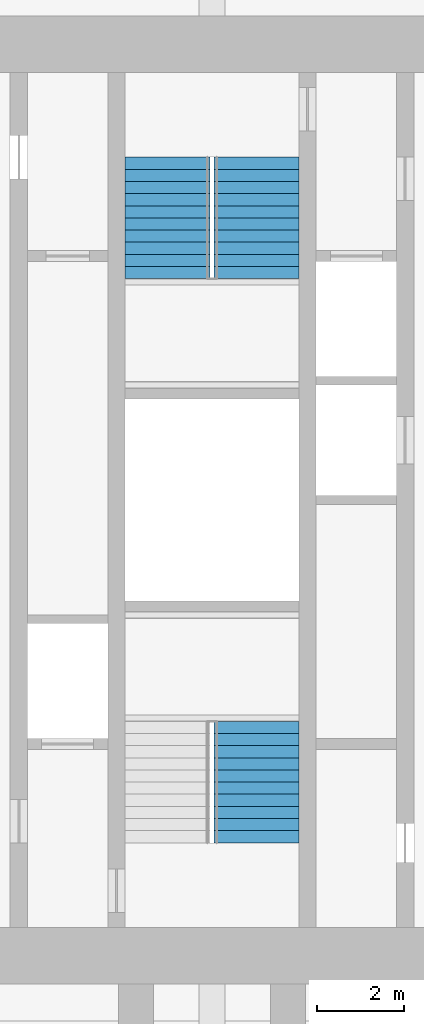
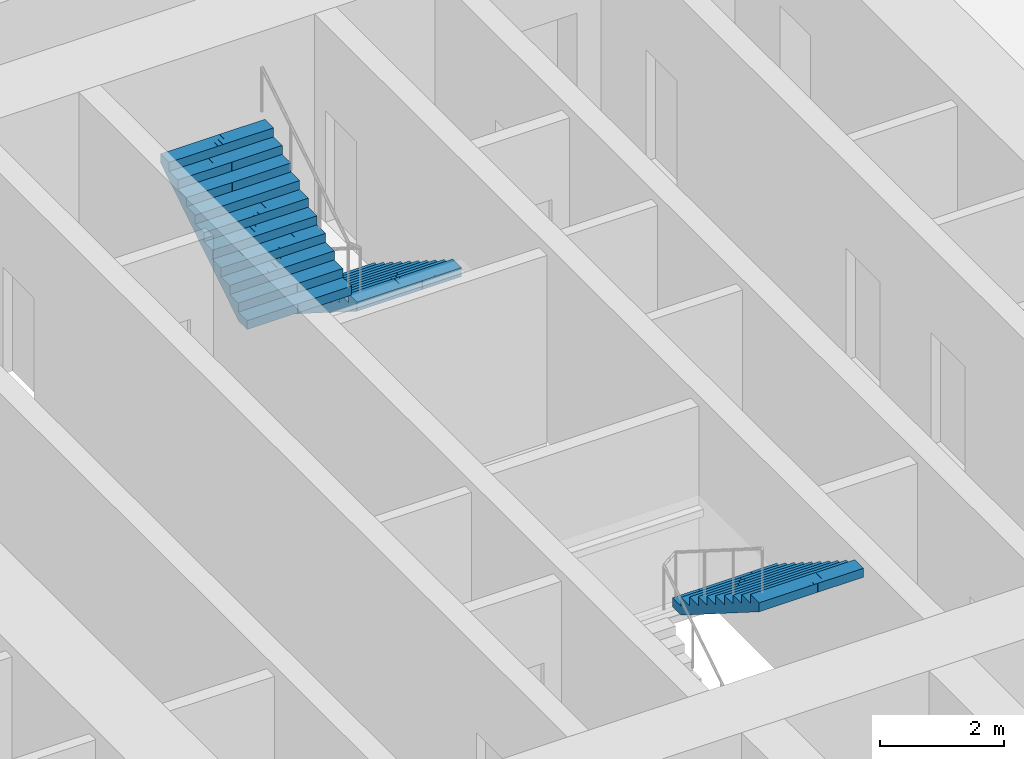
# One storey, part 14 of 15: 3 stair flights, 2 elements without a shape of their own.
"""IFC4 building model written with IfcOpenShell, lengths in metres."""

from ifc_helpers import new_model, si_unit, direction, frame, origin, place, context, subcontext, project, spatial, polyline, outline, extrude, material, type_object, element, aggregate, save


model = new_model("IFC4")

# Units and contexts
model_context = context("Model", 3, precision=1e-05, world=origin(), true_north=direction((0.0, 1.0)))
body_context = subcontext(model_context, "Body", "Model", "MODEL_VIEW")
ifc_project = project(units=[si_unit("LENGTHUNIT", "METRE"), si_unit("AREAUNIT", "SQUARE_METRE"), si_unit("VOLUMEUNIT", "CUBIC_METRE"), si_unit("PLANEANGLEUNIT", "RADIAN"), si_unit("MASSUNIT", "GRAM", prefix="KILO")], contexts=[model_context])

# Site, building, storey
site_placement = place(None, origin())
site = spatial("IfcSite", under=ifc_project, at=site_placement, CompositionType="ELEMENT")
building_placement = place(site_placement, origin())
building = spatial("IfcBuilding", under=site, at=building_placement, Name="Mizan Broadcast Tower", CompositionType="ELEMENT")
storey_placement = place(building_placement, frame((0.0, 0.0, 267.300048828125)))
storey = spatial("IfcBuildingStorey", under=building, at=storey_placement, Name="L63", CompositionType="ELEMENT", Elevation=267.300048828125)

# Stair, stair flight
ifc_material_1 = material(Name="Concrete C40/50", Category="concrete")
stair_type = type_object("IfcStairType", Name="EXIT STAIR", PredefinedType="HALF_TURN_STAIR", material=ifc_material_1)
stair_1_placement = place(storey_placement, origin())
stair_1 = element("IfcStair", 1, at=stair_1_placement, inside=storey, type_object=stair_type, Name="Stair A L63", PredefinedType="HALF_TURN_STAIR")
ifc_material_2 = material(Name="Concrete C40/50", Category="concrete")
stair_flight_type = type_object("IfcStairFlightType", Name="EXIT STAIR FLIGHT", PredefinedType="STRAIGHT", material=ifc_material_2)
stair_flight_1_placement = place(storey_placement, frame((1.02490234375, -5.10009765625, 1.949951171875), z_axis=(0.0, 0.0, 1.0), x_axis=(0.0, -1.0, 0.0)))
stair_flight_1 = element("IfcStairFlight", 2, at=stair_flight_1_placement, type_object=stair_flight_type, Name="A flight 2", NumberOfRisers=11, NumberOfTreads=10, PredefinedType="STRAIGHT", RiserHeight=0.177272727, TreadLength=0.28, context=body_context, shape_type="SweptSolid", body=[
    extrude(outline(polyline([(0.0, 0.0), (0.0, 0.17724609375), (0.280029296875, 0.17724609375), (0.280029296875, 0.3544921875), (0.56005859375, 0.3544921875), (0.56005859375, 0.53173828125), (0.840087890625, 0.53173828125), (0.840087890625, 0.708984375), (1.1201171875, 0.708984375), (1.1201171875, 0.886474609375), (1.39990234375, 0.886474609375), (1.39990234375, 1.063720703125), (1.679931640625, 1.063720703125), (1.679931640625, 1.240966796875), (1.9599609375, 1.240966796875), (1.9599609375, 1.418212890625), (2.239990234375, 1.418212890625), (2.239990234375, 1.595458984375), (2.52001953125, 1.595458984375), (2.52001953125, 1.772705078125), (2.800048828125, 1.772705078125), (2.800048828125, 1.949951171875), (2.800048828125, 1.59521484375), (0.2802734375, 0.0), (0.0, 0.0)])), frame((0.0, 0.97509765625, 0.0), z_axis=(0.0, -1.0, 0.0), x_axis=(1.0, 0.0, 0.0)), (0.0, 0.0, 1.0), 0.4873046875),
    extrude(outline(polyline([(0.0, 0.0), (0.0, 0.17724609375), (0.280029296875, 0.17724609375), (0.280029296875, 0.3544921875), (0.56005859375, 0.3544921875), (0.56005859375, 0.53173828125), (0.840087890625, 0.53173828125), (0.840087890625, 0.708984375), (1.1201171875, 0.708984375), (1.1201171875, 0.886474609375), (1.39990234375, 0.886474609375), (1.39990234375, 1.063720703125), (1.679931640625, 1.063720703125), (1.679931640625, 1.240966796875), (1.9599609375, 1.240966796875), (1.9599609375, 1.418212890625), (2.239990234375, 1.418212890625), (2.239990234375, 1.595458984375), (2.52001953125, 1.595458984375), (2.52001953125, 1.772705078125), (2.800048828125, 1.772705078125), (2.800048828125, 1.949951171875), (2.800048828125, 1.59521484375), (0.2802734375, 0.0), (0.0, 0.0)])), frame((0.0, 0.4873046875, 0.0), z_axis=(0.0, -1.0, 0.0), x_axis=(1.0, 0.0, 0.0)), (0.0, 0.0, 1.0), 0.2431640625),
    extrude(outline(polyline([(0.0, 0.0), (0.0, 0.17724609375), (0.280029296875, 0.17724609375), (0.280029296875, 0.3544921875), (0.56005859375, 0.3544921875), (0.56005859375, 0.53173828125), (0.840087890625, 0.53173828125), (0.840087890625, 0.708984375), (1.1201171875, 0.708984375), (1.1201171875, 0.886474609375), (1.39990234375, 0.886474609375), (1.39990234375, 1.063720703125), (1.679931640625, 1.063720703125), (1.679931640625, 1.240966796875), (1.9599609375, 1.240966796875), (1.9599609375, 1.418212890625), (2.239990234375, 1.418212890625), (2.239990234375, 1.595458984375), (2.52001953125, 1.595458984375), (2.52001953125, 1.772705078125), (2.800048828125, 1.772705078125), (2.800048828125, 1.949951171875), (2.800048828125, 1.59521484375), (0.2802734375, 0.0), (0.0, 0.0)])), frame((0.0, 0.24365234375, 0.0), z_axis=(0.0, -1.0, 0.0), x_axis=(1.0, 0.0, 0.0)), (0.0, 0.0, 1.0), 0.121337890625),
    extrude(outline(polyline([(0.0, 0.0), (0.0, 0.17724609375), (0.280029296875, 0.17724609375), (0.280029296875, 0.3544921875), (0.56005859375, 0.3544921875), (0.56005859375, 0.53173828125), (0.840087890625, 0.53173828125), (0.840087890625, 0.708984375), (1.1201171875, 0.708984375), (1.1201171875, 0.886474609375), (1.39990234375, 0.886474609375), (1.39990234375, 1.063720703125), (1.679931640625, 1.063720703125), (1.679931640625, 1.240966796875), (1.9599609375, 1.240966796875), (1.9599609375, 1.418212890625), (2.239990234375, 1.418212890625), (2.239990234375, 1.595458984375), (2.52001953125, 1.595458984375), (2.52001953125, 1.772705078125), (2.800048828125, 1.772705078125), (2.800048828125, 1.949951171875), (2.800048828125, 1.59521484375), (0.2802734375, 0.0), (0.0, 0.0)])), frame((0.0, 0.121826171875, 0.0), z_axis=(0.0, -1.0, 0.0), x_axis=(1.0, 0.0, 0.0)), (0.0, 0.0, 1.0), 0.060546875),
    extrude(outline(polyline([(0.0, 0.0), (0.0, 0.17724609375), (0.280029296875, 0.17724609375), (0.280029296875, 0.3544921875), (0.56005859375, 0.3544921875), (0.56005859375, 0.53173828125), (0.840087890625, 0.53173828125), (0.840087890625, 0.708984375), (1.1201171875, 0.708984375), (1.1201171875, 0.886474609375), (1.39990234375, 0.886474609375), (1.39990234375, 1.063720703125), (1.679931640625, 1.063720703125), (1.679931640625, 1.240966796875), (1.9599609375, 1.240966796875), (1.9599609375, 1.418212890625), (2.239990234375, 1.418212890625), (2.239990234375, 1.595458984375), (2.52001953125, 1.595458984375), (2.52001953125, 1.772705078125), (2.800048828125, 1.772705078125), (2.800048828125, 1.949951171875), (2.800048828125, 1.59521484375), (0.2802734375, 0.0), (0.0, 0.0)])), frame((0.0, 0.060791015625, 0.0), z_axis=(0.0, -1.0, 0.0), x_axis=(1.0, 0.0, 0.0)), (0.0, 0.0, 1.0), 0.030029296875),
    extrude(outline(polyline([(0.0, 0.0), (0.0, 0.17724609375), (0.280029296875, 0.17724609375), (0.280029296875, 0.3544921875), (0.56005859375, 0.3544921875), (0.56005859375, 0.53173828125), (0.840087890625, 0.53173828125), (0.840087890625, 0.708984375), (1.1201171875, 0.708984375), (1.1201171875, 0.886474609375), (1.39990234375, 0.886474609375), (1.39990234375, 1.063720703125), (1.679931640625, 1.063720703125), (1.679931640625, 1.240966796875), (1.9599609375, 1.240966796875), (1.9599609375, 1.418212890625), (2.239990234375, 1.418212890625), (2.239990234375, 1.595458984375), (2.52001953125, 1.595458984375), (2.52001953125, 1.772705078125), (2.800048828125, 1.772705078125), (2.800048828125, 1.949951171875), (2.800048828125, 1.59521484375), (0.2802734375, 0.0), (0.0, 0.0)])), frame((0.0, 0.0302734375, 0.0), z_axis=(0.0, -1.0, 0.0), x_axis=(1.0, 0.0, 0.0)), (0.0, 0.0, 1.0), 0.060302734375),
    extrude(outline(polyline([(0.0, 0.0), (0.0, 0.17724609375), (0.280029296875, 0.17724609375), (0.280029296875, 0.3544921875), (0.56005859375, 0.3544921875), (0.56005859375, 0.53173828125), (0.840087890625, 0.53173828125), (0.840087890625, 0.708984375), (1.1201171875, 0.708984375), (1.1201171875, 0.886474609375), (1.39990234375, 0.886474609375), (1.39990234375, 1.063720703125), (1.679931640625, 1.063720703125), (1.679931640625, 1.240966796875), (1.9599609375, 1.240966796875), (1.9599609375, 1.418212890625), (2.239990234375, 1.418212890625), (2.239990234375, 1.595458984375), (2.52001953125, 1.595458984375), (2.52001953125, 1.772705078125), (2.800048828125, 1.772705078125), (2.800048828125, 1.949951171875), (2.800048828125, 1.59521484375), (0.2802734375, 0.0), (0.0, 0.0)])), frame((0.0, -0.030517578125, 0.0), z_axis=(0.0, -1.0, 0.0), x_axis=(1.0, 0.0, 0.0)), (0.0, 0.0, 1.0), 0.030029296875),
    extrude(outline(polyline([(0.0, 0.0), (0.0, 0.17724609375), (0.280029296875, 0.17724609375), (0.280029296875, 0.3544921875), (0.56005859375, 0.3544921875), (0.56005859375, 0.53173828125), (0.840087890625, 0.53173828125), (0.840087890625, 0.708984375), (1.1201171875, 0.708984375), (1.1201171875, 0.886474609375), (1.39990234375, 0.886474609375), (1.39990234375, 1.063720703125), (1.679931640625, 1.063720703125), (1.679931640625, 1.240966796875), (1.9599609375, 1.240966796875), (1.9599609375, 1.418212890625), (2.239990234375, 1.418212890625), (2.239990234375, 1.595458984375), (2.52001953125, 1.595458984375), (2.52001953125, 1.772705078125), (2.800048828125, 1.772705078125), (2.800048828125, 1.949951171875), (2.800048828125, 1.59521484375), (0.2802734375, 0.0), (0.0, 0.0)])), frame((0.0, -0.06103515625, 0.0), z_axis=(0.0, -1.0, 0.0), x_axis=(1.0, 0.0, 0.0)), (0.0, 0.0, 1.0), 0.060546875),
    extrude(outline(polyline([(0.0, 0.0), (0.0, 0.17724609375), (0.280029296875, 0.17724609375), (0.280029296875, 0.3544921875), (0.56005859375, 0.3544921875), (0.56005859375, 0.53173828125), (0.840087890625, 0.53173828125), (0.840087890625, 0.708984375), (1.1201171875, 0.708984375), (1.1201171875, 0.886474609375), (1.39990234375, 0.886474609375), (1.39990234375, 1.063720703125), (1.679931640625, 1.063720703125), (1.679931640625, 1.240966796875), (1.9599609375, 1.240966796875), (1.9599609375, 1.418212890625), (2.239990234375, 1.418212890625), (2.239990234375, 1.595458984375), (2.52001953125, 1.595458984375), (2.52001953125, 1.772705078125), (2.800048828125, 1.772705078125), (2.800048828125, 1.949951171875), (2.800048828125, 1.59521484375), (0.2802734375, 0.0), (0.0, 0.0)])), frame((0.0, -0.1220703125, 0.0), z_axis=(0.0, -1.0, 0.0), x_axis=(1.0, 0.0, 0.0)), (0.0, 0.0, 1.0), 0.121337890625),
    extrude(outline(polyline([(0.0, 0.0), (0.0, 0.17724609375), (0.280029296875, 0.17724609375), (0.280029296875, 0.3544921875), (0.56005859375, 0.3544921875), (0.56005859375, 0.53173828125), (0.840087890625, 0.53173828125), (0.840087890625, 0.708984375), (1.1201171875, 0.708984375), (1.1201171875, 0.886474609375), (1.39990234375, 0.886474609375), (1.39990234375, 1.063720703125), (1.679931640625, 1.063720703125), (1.679931640625, 1.240966796875), (1.9599609375, 1.240966796875), (1.9599609375, 1.418212890625), (2.239990234375, 1.418212890625), (2.239990234375, 1.595458984375), (2.52001953125, 1.595458984375), (2.52001953125, 1.772705078125), (2.800048828125, 1.772705078125), (2.800048828125, 1.949951171875), (2.800048828125, 1.59521484375), (0.2802734375, 0.0), (0.0, 0.0)])), frame((0.0, -0.243896484375, 0.0), z_axis=(0.0, -1.0, 0.0), x_axis=(1.0, 0.0, 0.0)), (0.0, 0.0, 1.0), 0.2431640625),
    extrude(outline(polyline([(0.0, 0.0), (0.0, 0.17724609375), (0.280029296875, 0.17724609375), (0.280029296875, 0.3544921875), (0.56005859375, 0.3544921875), (0.56005859375, 0.53173828125), (0.840087890625, 0.53173828125), (0.840087890625, 0.708984375), (1.1201171875, 0.708984375), (1.1201171875, 0.886474609375), (1.39990234375, 0.886474609375), (1.39990234375, 1.063720703125), (1.679931640625, 1.063720703125), (1.679931640625, 1.240966796875), (1.9599609375, 1.240966796875), (1.9599609375, 1.418212890625), (2.239990234375, 1.418212890625), (2.239990234375, 1.595458984375), (2.52001953125, 1.595458984375), (2.52001953125, 1.772705078125), (2.800048828125, 1.772705078125), (2.800048828125, 1.949951171875), (2.800048828125, 1.59521484375), (0.2802734375, 0.0), (0.0, 0.0)])), frame((0.0, -0.487548828125, 0.0), z_axis=(0.0, -1.0, 0.0), x_axis=(1.0, 0.0, 0.0)), (0.0, 0.0, 1.0), 0.4873046875),
])
aggregate(stair_1, [stair_flight_1])

# Stair, stair flights
stair_2_placement = place(storey_placement, origin())
stair_2 = element("IfcStair", 3, at=stair_2_placement, inside=storey, type_object=stair_type, Name="Stair B L63", PredefinedType="HALF_TURN_STAIR")
stair_flight_2_placement = place(storey_placement, frame((1.02490234375, 7.89990234375, 0.0), z_axis=(0.0, 0.0, 1.0), x_axis=(0.0, -1.0, 0.0)))
stair_flight_2 = element("IfcStairFlight", 4, at=stair_flight_2_placement, type_object=stair_flight_type, Name="B flight 1", NumberOfRisers=11, NumberOfTreads=10, PredefinedType="STRAIGHT", RiserHeight=0.177272727, TreadLength=0.28, context=body_context, shape_type="SweptSolid", body=[
    extrude(outline(polyline([(0.0, 0.0), (0.0, 0.17724609375), (0.280029296875, 0.17724609375), (0.280029296875, 0.3544921875), (0.56005859375, 0.3544921875), (0.56005859375, 0.53173828125), (0.840087890625, 0.53173828125), (0.840087890625, 0.708984375), (1.1201171875, 0.708984375), (1.1201171875, 0.886474609375), (1.39990234375, 0.886474609375), (1.39990234375, 1.063720703125), (1.679931640625, 1.063720703125), (1.679931640625, 1.240966796875), (1.9599609375, 1.240966796875), (1.9599609375, 1.418212890625), (2.239990234375, 1.418212890625), (2.239990234375, 1.595458984375), (2.52001953125, 1.595458984375), (2.52001953125, 1.772705078125), (2.800048828125, 1.772705078125), (2.800048828125, 1.949951171875), (2.800048828125, 1.59521484375), (0.2802734375, 0.0), (0.0, 0.0)])), frame((0.0, 0.97509765625, 0.0), z_axis=(0.0, -1.0, 0.0), x_axis=(1.0, 0.0, 0.0)), (0.0, 0.0, 1.0), 0.4873046875),
    extrude(outline(polyline([(0.0, 0.0), (0.0, 0.17724609375), (0.280029296875, 0.17724609375), (0.280029296875, 0.3544921875), (0.56005859375, 0.3544921875), (0.56005859375, 0.53173828125), (0.840087890625, 0.53173828125), (0.840087890625, 0.708984375), (1.1201171875, 0.708984375), (1.1201171875, 0.886474609375), (1.39990234375, 0.886474609375), (1.39990234375, 1.063720703125), (1.679931640625, 1.063720703125), (1.679931640625, 1.240966796875), (1.9599609375, 1.240966796875), (1.9599609375, 1.418212890625), (2.239990234375, 1.418212890625), (2.239990234375, 1.595458984375), (2.52001953125, 1.595458984375), (2.52001953125, 1.772705078125), (2.800048828125, 1.772705078125), (2.800048828125, 1.949951171875), (2.800048828125, 1.59521484375), (0.2802734375, 0.0), (0.0, 0.0)])), frame((0.0, 0.4873046875, 0.0), z_axis=(0.0, -1.0, 0.0), x_axis=(1.0, 0.0, 0.0)), (0.0, 0.0, 1.0), 0.2431640625),
    extrude(outline(polyline([(0.0, 0.0), (0.0, 0.17724609375), (0.280029296875, 0.17724609375), (0.280029296875, 0.3544921875), (0.56005859375, 0.3544921875), (0.56005859375, 0.53173828125), (0.840087890625, 0.53173828125), (0.840087890625, 0.708984375), (1.1201171875, 0.708984375), (1.1201171875, 0.886474609375), (1.39990234375, 0.886474609375), (1.39990234375, 1.063720703125), (1.679931640625, 1.063720703125), (1.679931640625, 1.240966796875), (1.9599609375, 1.240966796875), (1.9599609375, 1.418212890625), (2.239990234375, 1.418212890625), (2.239990234375, 1.595458984375), (2.52001953125, 1.595458984375), (2.52001953125, 1.772705078125), (2.800048828125, 1.772705078125), (2.800048828125, 1.949951171875), (2.800048828125, 1.59521484375), (0.2802734375, 0.0), (0.0, 0.0)])), frame((0.0, 0.24365234375, 0.0), z_axis=(0.0, -1.0, 0.0), x_axis=(1.0, 0.0, 0.0)), (0.0, 0.0, 1.0), 0.121337890625),
    extrude(outline(polyline([(0.0, 0.0), (0.0, 0.17724609375), (0.280029296875, 0.17724609375), (0.280029296875, 0.3544921875), (0.56005859375, 0.3544921875), (0.56005859375, 0.53173828125), (0.840087890625, 0.53173828125), (0.840087890625, 0.708984375), (1.1201171875, 0.708984375), (1.1201171875, 0.886474609375), (1.39990234375, 0.886474609375), (1.39990234375, 1.063720703125), (1.679931640625, 1.063720703125), (1.679931640625, 1.240966796875), (1.9599609375, 1.240966796875), (1.9599609375, 1.418212890625), (2.239990234375, 1.418212890625), (2.239990234375, 1.595458984375), (2.52001953125, 1.595458984375), (2.52001953125, 1.772705078125), (2.800048828125, 1.772705078125), (2.800048828125, 1.949951171875), (2.800048828125, 1.59521484375), (0.2802734375, 0.0), (0.0, 0.0)])), frame((0.0, 0.121826171875, 0.0), z_axis=(0.0, -1.0, 0.0), x_axis=(1.0, 0.0, 0.0)), (0.0, 0.0, 1.0), 0.060546875),
    extrude(outline(polyline([(0.0, 0.0), (0.0, 0.17724609375), (0.280029296875, 0.17724609375), (0.280029296875, 0.3544921875), (0.56005859375, 0.3544921875), (0.56005859375, 0.53173828125), (0.840087890625, 0.53173828125), (0.840087890625, 0.708984375), (1.1201171875, 0.708984375), (1.1201171875, 0.886474609375), (1.39990234375, 0.886474609375), (1.39990234375, 1.063720703125), (1.679931640625, 1.063720703125), (1.679931640625, 1.240966796875), (1.9599609375, 1.240966796875), (1.9599609375, 1.418212890625), (2.239990234375, 1.418212890625), (2.239990234375, 1.595458984375), (2.52001953125, 1.595458984375), (2.52001953125, 1.772705078125), (2.800048828125, 1.772705078125), (2.800048828125, 1.949951171875), (2.800048828125, 1.59521484375), (0.2802734375, 0.0), (0.0, 0.0)])), frame((0.0, 0.060791015625, 0.0), z_axis=(0.0, -1.0, 0.0), x_axis=(1.0, 0.0, 0.0)), (0.0, 0.0, 1.0), 0.030029296875),
    extrude(outline(polyline([(0.0, 0.0), (0.0, 0.17724609375), (0.280029296875, 0.17724609375), (0.280029296875, 0.3544921875), (0.56005859375, 0.3544921875), (0.56005859375, 0.53173828125), (0.840087890625, 0.53173828125), (0.840087890625, 0.708984375), (1.1201171875, 0.708984375), (1.1201171875, 0.886474609375), (1.39990234375, 0.886474609375), (1.39990234375, 1.063720703125), (1.679931640625, 1.063720703125), (1.679931640625, 1.240966796875), (1.9599609375, 1.240966796875), (1.9599609375, 1.418212890625), (2.239990234375, 1.418212890625), (2.239990234375, 1.595458984375), (2.52001953125, 1.595458984375), (2.52001953125, 1.772705078125), (2.800048828125, 1.772705078125), (2.800048828125, 1.949951171875), (2.800048828125, 1.59521484375), (0.2802734375, 0.0), (0.0, 0.0)])), frame((0.0, 0.0302734375, 0.0), z_axis=(0.0, -1.0, 0.0), x_axis=(1.0, 0.0, 0.0)), (0.0, 0.0, 1.0), 0.060302734375),
    extrude(outline(polyline([(0.0, 0.0), (0.0, 0.17724609375), (0.280029296875, 0.17724609375), (0.280029296875, 0.3544921875), (0.56005859375, 0.3544921875), (0.56005859375, 0.53173828125), (0.840087890625, 0.53173828125), (0.840087890625, 0.708984375), (1.1201171875, 0.708984375), (1.1201171875, 0.886474609375), (1.39990234375, 0.886474609375), (1.39990234375, 1.063720703125), (1.679931640625, 1.063720703125), (1.679931640625, 1.240966796875), (1.9599609375, 1.240966796875), (1.9599609375, 1.418212890625), (2.239990234375, 1.418212890625), (2.239990234375, 1.595458984375), (2.52001953125, 1.595458984375), (2.52001953125, 1.772705078125), (2.800048828125, 1.772705078125), (2.800048828125, 1.949951171875), (2.800048828125, 1.59521484375), (0.2802734375, 0.0), (0.0, 0.0)])), frame((0.0, -0.030517578125, 0.0), z_axis=(0.0, -1.0, 0.0), x_axis=(1.0, 0.0, 0.0)), (0.0, 0.0, 1.0), 0.030029296875),
    extrude(outline(polyline([(0.0, 0.0), (0.0, 0.17724609375), (0.280029296875, 0.17724609375), (0.280029296875, 0.3544921875), (0.56005859375, 0.3544921875), (0.56005859375, 0.53173828125), (0.840087890625, 0.53173828125), (0.840087890625, 0.708984375), (1.1201171875, 0.708984375), (1.1201171875, 0.886474609375), (1.39990234375, 0.886474609375), (1.39990234375, 1.063720703125), (1.679931640625, 1.063720703125), (1.679931640625, 1.240966796875), (1.9599609375, 1.240966796875), (1.9599609375, 1.418212890625), (2.239990234375, 1.418212890625), (2.239990234375, 1.595458984375), (2.52001953125, 1.595458984375), (2.52001953125, 1.772705078125), (2.800048828125, 1.772705078125), (2.800048828125, 1.949951171875), (2.800048828125, 1.59521484375), (0.2802734375, 0.0), (0.0, 0.0)])), frame((0.0, -0.06103515625, 0.0), z_axis=(0.0, -1.0, 0.0), x_axis=(1.0, 0.0, 0.0)), (0.0, 0.0, 1.0), 0.060546875),
    extrude(outline(polyline([(0.0, 0.0), (0.0, 0.17724609375), (0.280029296875, 0.17724609375), (0.280029296875, 0.3544921875), (0.56005859375, 0.3544921875), (0.56005859375, 0.53173828125), (0.840087890625, 0.53173828125), (0.840087890625, 0.708984375), (1.1201171875, 0.708984375), (1.1201171875, 0.886474609375), (1.39990234375, 0.886474609375), (1.39990234375, 1.063720703125), (1.679931640625, 1.063720703125), (1.679931640625, 1.240966796875), (1.9599609375, 1.240966796875), (1.9599609375, 1.418212890625), (2.239990234375, 1.418212890625), (2.239990234375, 1.595458984375), (2.52001953125, 1.595458984375), (2.52001953125, 1.772705078125), (2.800048828125, 1.772705078125), (2.800048828125, 1.949951171875), (2.800048828125, 1.59521484375), (0.2802734375, 0.0), (0.0, 0.0)])), frame((0.0, -0.1220703125, 0.0), z_axis=(0.0, -1.0, 0.0), x_axis=(1.0, 0.0, 0.0)), (0.0, 0.0, 1.0), 0.121337890625),
    extrude(outline(polyline([(0.0, 0.0), (0.0, 0.17724609375), (0.280029296875, 0.17724609375), (0.280029296875, 0.3544921875), (0.56005859375, 0.3544921875), (0.56005859375, 0.53173828125), (0.840087890625, 0.53173828125), (0.840087890625, 0.708984375), (1.1201171875, 0.708984375), (1.1201171875, 0.886474609375), (1.39990234375, 0.886474609375), (1.39990234375, 1.063720703125), (1.679931640625, 1.063720703125), (1.679931640625, 1.240966796875), (1.9599609375, 1.240966796875), (1.9599609375, 1.418212890625), (2.239990234375, 1.418212890625), (2.239990234375, 1.595458984375), (2.52001953125, 1.595458984375), (2.52001953125, 1.772705078125), (2.800048828125, 1.772705078125), (2.800048828125, 1.949951171875), (2.800048828125, 1.59521484375), (0.2802734375, 0.0), (0.0, 0.0)])), frame((0.0, -0.243896484375, 0.0), z_axis=(0.0, -1.0, 0.0), x_axis=(1.0, 0.0, 0.0)), (0.0, 0.0, 1.0), 0.2431640625),
    extrude(outline(polyline([(0.0, 0.0), (0.0, 0.17724609375), (0.280029296875, 0.17724609375), (0.280029296875, 0.3544921875), (0.56005859375, 0.3544921875), (0.56005859375, 0.53173828125), (0.840087890625, 0.53173828125), (0.840087890625, 0.708984375), (1.1201171875, 0.708984375), (1.1201171875, 0.886474609375), (1.39990234375, 0.886474609375), (1.39990234375, 1.063720703125), (1.679931640625, 1.063720703125), (1.679931640625, 1.240966796875), (1.9599609375, 1.240966796875), (1.9599609375, 1.418212890625), (2.239990234375, 1.418212890625), (2.239990234375, 1.595458984375), (2.52001953125, 1.595458984375), (2.52001953125, 1.772705078125), (2.800048828125, 1.772705078125), (2.800048828125, 1.949951171875), (2.800048828125, 1.59521484375), (0.2802734375, 0.0), (0.0, 0.0)])), frame((0.0, -0.487548828125, 0.0), z_axis=(0.0, -1.0, 0.0), x_axis=(1.0, 0.0, 0.0)), (0.0, 0.0, 1.0), 0.4873046875),
])
stair_flight_3_placement = place(storey_placement, frame((-1.02490234375, 5.10009765625, 1.949951171875), z_axis=(0.0, 0.0, 1.0), x_axis=(0.0, 1.0, 0.0)))
stair_flight_3 = element("IfcStairFlight", 5, at=stair_flight_3_placement, type_object=stair_flight_type, Name="B flight 2", NumberOfRisers=11, NumberOfTreads=10, PredefinedType="STRAIGHT", RiserHeight=0.177272727, TreadLength=0.28, context=body_context, shape_type="SweptSolid", body=[
    extrude(outline(polyline([(0.0, 0.0), (0.0, 0.17724609375), (0.280029296875, 0.17724609375), (0.280029296875, 0.3544921875), (0.56005859375, 0.3544921875), (0.56005859375, 0.53173828125), (0.840087890625, 0.53173828125), (0.840087890625, 0.708984375), (1.1201171875, 0.708984375), (1.1201171875, 0.886474609375), (1.39990234375, 0.886474609375), (1.39990234375, 1.063720703125), (1.679931640625, 1.063720703125), (1.679931640625, 1.240966796875), (1.9599609375, 1.240966796875), (1.9599609375, 1.418212890625), (2.239990234375, 1.418212890625), (2.239990234375, 1.595458984375), (2.52001953125, 1.595458984375), (2.52001953125, 1.772705078125), (2.800048828125, 1.772705078125), (2.800048828125, 1.949951171875), (2.800048828125, 1.59521484375), (0.2802734375, 0.0), (0.0, 0.0)])), frame((0.0, 0.97509765625, 0.0), z_axis=(0.0, -1.0, 0.0), x_axis=(1.0, 0.0, 0.0)), (0.0, 0.0, 1.0), 0.4873046875),
    extrude(outline(polyline([(0.0, 0.0), (0.0, 0.17724609375), (0.280029296875, 0.17724609375), (0.280029296875, 0.3544921875), (0.56005859375, 0.3544921875), (0.56005859375, 0.53173828125), (0.840087890625, 0.53173828125), (0.840087890625, 0.708984375), (1.1201171875, 0.708984375), (1.1201171875, 0.886474609375), (1.39990234375, 0.886474609375), (1.39990234375, 1.063720703125), (1.679931640625, 1.063720703125), (1.679931640625, 1.240966796875), (1.9599609375, 1.240966796875), (1.9599609375, 1.418212890625), (2.239990234375, 1.418212890625), (2.239990234375, 1.595458984375), (2.52001953125, 1.595458984375), (2.52001953125, 1.772705078125), (2.800048828125, 1.772705078125), (2.800048828125, 1.949951171875), (2.800048828125, 1.59521484375), (0.2802734375, 0.0), (0.0, 0.0)])), frame((0.0, 0.4873046875, 0.0), z_axis=(0.0, -1.0, 0.0), x_axis=(1.0, 0.0, 0.0)), (0.0, 0.0, 1.0), 0.2431640625),
    extrude(outline(polyline([(0.0, 0.0), (0.0, 0.17724609375), (0.280029296875, 0.17724609375), (0.280029296875, 0.3544921875), (0.56005859375, 0.3544921875), (0.56005859375, 0.53173828125), (0.840087890625, 0.53173828125), (0.840087890625, 0.708984375), (1.1201171875, 0.708984375), (1.1201171875, 0.886474609375), (1.39990234375, 0.886474609375), (1.39990234375, 1.063720703125), (1.679931640625, 1.063720703125), (1.679931640625, 1.240966796875), (1.9599609375, 1.240966796875), (1.9599609375, 1.418212890625), (2.239990234375, 1.418212890625), (2.239990234375, 1.595458984375), (2.52001953125, 1.595458984375), (2.52001953125, 1.772705078125), (2.800048828125, 1.772705078125), (2.800048828125, 1.949951171875), (2.800048828125, 1.59521484375), (0.2802734375, 0.0), (0.0, 0.0)])), frame((0.0, 0.24365234375, 0.0), z_axis=(0.0, -1.0, 0.0), x_axis=(1.0, 0.0, 0.0)), (0.0, 0.0, 1.0), 0.121337890625),
    extrude(outline(polyline([(0.0, 0.0), (0.0, 0.17724609375), (0.280029296875, 0.17724609375), (0.280029296875, 0.3544921875), (0.56005859375, 0.3544921875), (0.56005859375, 0.53173828125), (0.840087890625, 0.53173828125), (0.840087890625, 0.708984375), (1.1201171875, 0.708984375), (1.1201171875, 0.886474609375), (1.39990234375, 0.886474609375), (1.39990234375, 1.063720703125), (1.679931640625, 1.063720703125), (1.679931640625, 1.240966796875), (1.9599609375, 1.240966796875), (1.9599609375, 1.418212890625), (2.239990234375, 1.418212890625), (2.239990234375, 1.595458984375), (2.52001953125, 1.595458984375), (2.52001953125, 1.772705078125), (2.800048828125, 1.772705078125), (2.800048828125, 1.949951171875), (2.800048828125, 1.59521484375), (0.2802734375, 0.0), (0.0, 0.0)])), frame((0.0, 0.121826171875, 0.0), z_axis=(0.0, -1.0, 0.0), x_axis=(1.0, 0.0, 0.0)), (0.0, 0.0, 1.0), 0.060546875),
    extrude(outline(polyline([(0.0, 0.0), (0.0, 0.17724609375), (0.280029296875, 0.17724609375), (0.280029296875, 0.3544921875), (0.56005859375, 0.3544921875), (0.56005859375, 0.53173828125), (0.840087890625, 0.53173828125), (0.840087890625, 0.708984375), (1.1201171875, 0.708984375), (1.1201171875, 0.886474609375), (1.39990234375, 0.886474609375), (1.39990234375, 1.063720703125), (1.679931640625, 1.063720703125), (1.679931640625, 1.240966796875), (1.9599609375, 1.240966796875), (1.9599609375, 1.418212890625), (2.239990234375, 1.418212890625), (2.239990234375, 1.595458984375), (2.52001953125, 1.595458984375), (2.52001953125, 1.772705078125), (2.800048828125, 1.772705078125), (2.800048828125, 1.949951171875), (2.800048828125, 1.59521484375), (0.2802734375, 0.0), (0.0, 0.0)])), frame((0.0, 0.060791015625, 0.0), z_axis=(0.0, -1.0, 0.0), x_axis=(1.0, 0.0, 0.0)), (0.0, 0.0, 1.0), 0.030029296875),
    extrude(outline(polyline([(0.0, 0.0), (0.0, 0.17724609375), (0.280029296875, 0.17724609375), (0.280029296875, 0.3544921875), (0.56005859375, 0.3544921875), (0.56005859375, 0.53173828125), (0.840087890625, 0.53173828125), (0.840087890625, 0.708984375), (1.1201171875, 0.708984375), (1.1201171875, 0.886474609375), (1.39990234375, 0.886474609375), (1.39990234375, 1.063720703125), (1.679931640625, 1.063720703125), (1.679931640625, 1.240966796875), (1.9599609375, 1.240966796875), (1.9599609375, 1.418212890625), (2.239990234375, 1.418212890625), (2.239990234375, 1.595458984375), (2.52001953125, 1.595458984375), (2.52001953125, 1.772705078125), (2.800048828125, 1.772705078125), (2.800048828125, 1.949951171875), (2.800048828125, 1.59521484375), (0.2802734375, 0.0), (0.0, 0.0)])), frame((0.0, 0.0302734375, 0.0), z_axis=(0.0, -1.0, 0.0), x_axis=(1.0, 0.0, 0.0)), (0.0, 0.0, 1.0), 0.060302734375),
    extrude(outline(polyline([(0.0, 0.0), (0.0, 0.17724609375), (0.280029296875, 0.17724609375), (0.280029296875, 0.3544921875), (0.56005859375, 0.3544921875), (0.56005859375, 0.53173828125), (0.840087890625, 0.53173828125), (0.840087890625, 0.708984375), (1.1201171875, 0.708984375), (1.1201171875, 0.886474609375), (1.39990234375, 0.886474609375), (1.39990234375, 1.063720703125), (1.679931640625, 1.063720703125), (1.679931640625, 1.240966796875), (1.9599609375, 1.240966796875), (1.9599609375, 1.418212890625), (2.239990234375, 1.418212890625), (2.239990234375, 1.595458984375), (2.52001953125, 1.595458984375), (2.52001953125, 1.772705078125), (2.800048828125, 1.772705078125), (2.800048828125, 1.949951171875), (2.800048828125, 1.59521484375), (0.2802734375, 0.0), (0.0, 0.0)])), frame((0.0, -0.030517578125, 0.0), z_axis=(0.0, -1.0, 0.0), x_axis=(1.0, 0.0, 0.0)), (0.0, 0.0, 1.0), 0.030029296875),
    extrude(outline(polyline([(0.0, 0.0), (0.0, 0.17724609375), (0.280029296875, 0.17724609375), (0.280029296875, 0.3544921875), (0.56005859375, 0.3544921875), (0.56005859375, 0.53173828125), (0.840087890625, 0.53173828125), (0.840087890625, 0.708984375), (1.1201171875, 0.708984375), (1.1201171875, 0.886474609375), (1.39990234375, 0.886474609375), (1.39990234375, 1.063720703125), (1.679931640625, 1.063720703125), (1.679931640625, 1.240966796875), (1.9599609375, 1.240966796875), (1.9599609375, 1.418212890625), (2.239990234375, 1.418212890625), (2.239990234375, 1.595458984375), (2.52001953125, 1.595458984375), (2.52001953125, 1.772705078125), (2.800048828125, 1.772705078125), (2.800048828125, 1.949951171875), (2.800048828125, 1.59521484375), (0.2802734375, 0.0), (0.0, 0.0)])), frame((0.0, -0.06103515625, 0.0), z_axis=(0.0, -1.0, 0.0), x_axis=(1.0, 0.0, 0.0)), (0.0, 0.0, 1.0), 0.060546875),
    extrude(outline(polyline([(0.0, 0.0), (0.0, 0.17724609375), (0.280029296875, 0.17724609375), (0.280029296875, 0.3544921875), (0.56005859375, 0.3544921875), (0.56005859375, 0.53173828125), (0.840087890625, 0.53173828125), (0.840087890625, 0.708984375), (1.1201171875, 0.708984375), (1.1201171875, 0.886474609375), (1.39990234375, 0.886474609375), (1.39990234375, 1.063720703125), (1.679931640625, 1.063720703125), (1.679931640625, 1.240966796875), (1.9599609375, 1.240966796875), (1.9599609375, 1.418212890625), (2.239990234375, 1.418212890625), (2.239990234375, 1.595458984375), (2.52001953125, 1.595458984375), (2.52001953125, 1.772705078125), (2.800048828125, 1.772705078125), (2.800048828125, 1.949951171875), (2.800048828125, 1.59521484375), (0.2802734375, 0.0), (0.0, 0.0)])), frame((0.0, -0.1220703125, 0.0), z_axis=(0.0, -1.0, 0.0), x_axis=(1.0, 0.0, 0.0)), (0.0, 0.0, 1.0), 0.121337890625),
    extrude(outline(polyline([(0.0, 0.0), (0.0, 0.17724609375), (0.280029296875, 0.17724609375), (0.280029296875, 0.3544921875), (0.56005859375, 0.3544921875), (0.56005859375, 0.53173828125), (0.840087890625, 0.53173828125), (0.840087890625, 0.708984375), (1.1201171875, 0.708984375), (1.1201171875, 0.886474609375), (1.39990234375, 0.886474609375), (1.39990234375, 1.063720703125), (1.679931640625, 1.063720703125), (1.679931640625, 1.240966796875), (1.9599609375, 1.240966796875), (1.9599609375, 1.418212890625), (2.239990234375, 1.418212890625), (2.239990234375, 1.595458984375), (2.52001953125, 1.595458984375), (2.52001953125, 1.772705078125), (2.800048828125, 1.772705078125), (2.800048828125, 1.949951171875), (2.800048828125, 1.59521484375), (0.2802734375, 0.0), (0.0, 0.0)])), frame((0.0, -0.243896484375, 0.0), z_axis=(0.0, -1.0, 0.0), x_axis=(1.0, 0.0, 0.0)), (0.0, 0.0, 1.0), 0.2431640625),
    extrude(outline(polyline([(0.0, 0.0), (0.0, 0.17724609375), (0.280029296875, 0.17724609375), (0.280029296875, 0.3544921875), (0.56005859375, 0.3544921875), (0.56005859375, 0.53173828125), (0.840087890625, 0.53173828125), (0.840087890625, 0.708984375), (1.1201171875, 0.708984375), (1.1201171875, 0.886474609375), (1.39990234375, 0.886474609375), (1.39990234375, 1.063720703125), (1.679931640625, 1.063720703125), (1.679931640625, 1.240966796875), (1.9599609375, 1.240966796875), (1.9599609375, 1.418212890625), (2.239990234375, 1.418212890625), (2.239990234375, 1.595458984375), (2.52001953125, 1.595458984375), (2.52001953125, 1.772705078125), (2.800048828125, 1.772705078125), (2.800048828125, 1.949951171875), (2.800048828125, 1.59521484375), (0.2802734375, 0.0), (0.0, 0.0)])), frame((0.0, -0.487548828125, 0.0), z_axis=(0.0, -1.0, 0.0), x_axis=(1.0, 0.0, 0.0)), (0.0, 0.0, 1.0), 0.4873046875),
])
aggregate(stair_2, [stair_flight_2, stair_flight_3])

save(model, "model.ifc")
